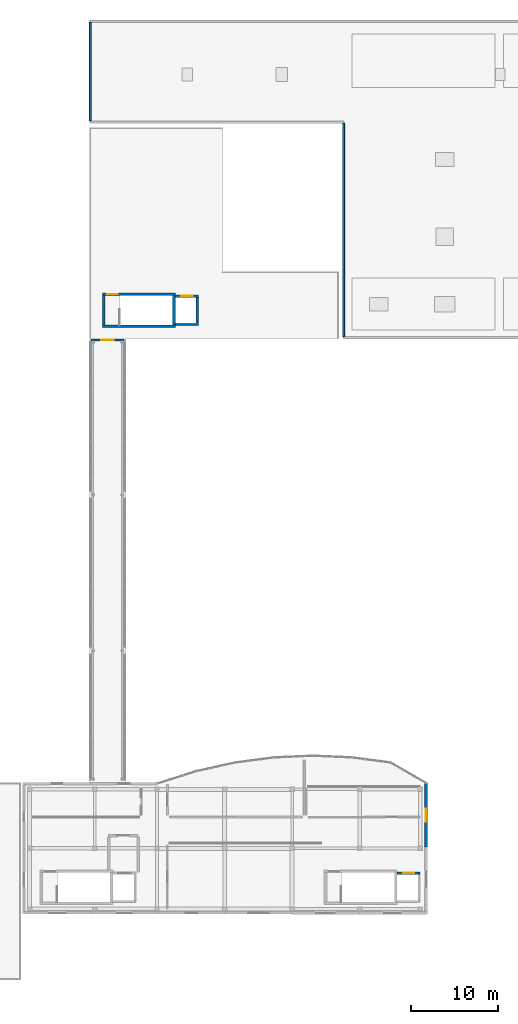
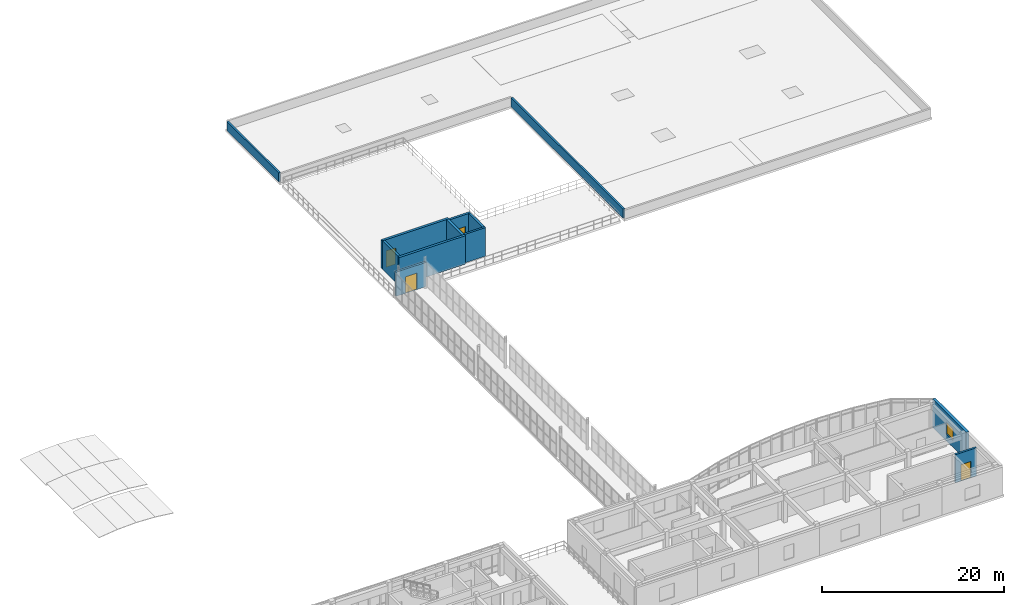
# One storey, part 49 of 52: 12 walls, 4 doors, 1 window, 5 openings.
"""IFC4 building model written with IfcOpenShell, lengths in metres."""

from ifc_helpers import new_model, si_unit, direction, frame, frame_2d, origin, place, context, subcontext, project, spatial, rectangle, extrude, material, layer, layer_set, type_object, element, fill, save


model = new_model("IFC4")

# Units and contexts
model_context = context("Model", 3, precision=1e-05, world=origin(), true_north=direction((0.0, 1.0)))
body_context = subcontext(model_context, "Body", "Model", "MODEL_VIEW")
ifc_project = project(units=[si_unit("LENGTHUNIT", "METRE"), si_unit("AREAUNIT", "SQUARE_METRE"), si_unit("VOLUMEUNIT", "CUBIC_METRE"), si_unit("PLANEANGLEUNIT", "RADIAN"), si_unit("MASSUNIT", "GRAM", prefix="KILO")], contexts=[model_context])

# Site, building, storey
site_placement = place(None, origin())
site = spatial("IfcSite", under=ifc_project, at=site_placement, CompositionType="ELEMENT")
building_placement = place(site_placement, origin())
building = spatial("IfcBuilding", under=site, at=building_placement, Name="Valcora Specialist Clinic", CompositionType="ELEMENT")
storey_placement = place(building_placement, frame((0.0, 0.0, 17.679931640625)))
storey = spatial("IfcBuildingStorey", under=building, at=storey_placement, Name="L04", CompositionType="ELEMENT", Elevation=17.679931640625)

# Wall
ifc_material_1 = material(Name="Concrete C40/50", Category="concrete")
ifc_layer_1 = layer(ifc_material_1, 0.300048828125)
ifc_layer_set_1 = layer_set([ifc_layer_1], Name="Concrete C40/50")
wall_type_1 = type_object("IfcWallType", Name="TY-WL-CR300", PredefinedType="SHEAR", material=ifc_layer_set_1)
wall_1_placement = place(storey_placement, frame((62.699951171875, 75.449951171875, 0.0), z_axis=(0.0, 0.0, 1.0), x_axis=(1.0, 0.0, 0.0)))
element("IfcWall", 1, at=wall_1_placement, inside=storey, type_object=wall_type_1, Name="Core shear wall WL-CR-C-V4A-L04-S", PredefinedType="SHEAR", context=body_context, shape_type="SweptSolid", body=[
    extrude(rectangle(XDim=8.420166015625, YDim=0.300048828125, at=frame_2d((4.2099609375, 0.0))), origin(), (0.0, 0.0, 1.0), 3.81005859375),
])

# Wall, opening, door
wall_2_placement = place(storey_placement, frame((62.699951171875, 79.14990234375, 0.0), z_axis=(0.0, 0.0, 1.0), x_axis=(1.0, 0.0, 0.0)))
wall_2 = element("IfcWall", 2, at=wall_2_placement, inside=storey, type_object=wall_type_1, Name="Core shear wall WL-CR-C-V4A-L04-N", PredefinedType="SHEAR", context=body_context, shape_type="SweptSolid", body=[
    extrude(rectangle(XDim=8.420166015625, YDim=0.300048828125, at=frame_2d((4.2099609375, 0.0))), origin(), (0.0, 0.0, 1.0), 3.81005859375),
])
opening_1_placement = place(wall_2_placement, frame((0.550048828125, 0.0, 0.0)))
opening_1 = element("IfcOpeningElement", 3, at=opening_1_placement, cuts=wall_2, Name="Opening DR-FD-120", PredefinedType="OPENING", context=body_context, shape_type="SweptSolid", body=[
    extrude(rectangle(XDim=1.199951171875, YDim=2.199951171875, at=frame_2d((0.60009765625, 1.10009765625))), frame((0.0, 0.159912109375, 0.0), z_axis=(0.0, -1.0, 0.0), x_axis=(1.0, 0.0, 0.0)), (0.0, 0.0, 1.0), 0.320068359375),
])
ifc_material_2 = material(Name="Galvanized Hollow Metal Door Steel ASTM A653", Category="steel")
door_type_1 = type_object("IfcDoorType", Name="TY-DR-ST120", OperationType="NOTDEFINED", PredefinedType="DOOR", material=ifc_material_2)
door_1_placement = place(opening_1_placement, origin())
door_1 = element("IfcDoor", 4, at=door_1_placement, inside=storey, type_object=door_type_1, Name="Exit stair fire door C-V4A L04", OperationType="SINGLE_SWING_LEFT", OverallHeight=2.199951171875, OverallWidth=1.199951171875, PredefinedType="DOOR", context=body_context, shape_type="SweptSolid", body=[
    extrude(rectangle(XDim=1.199951171875, YDim=2.199951171875, at=frame_2d((0.60009765625, 1.10009765625))), frame((0.0, 0.02490234375, 0.0), z_axis=(0.0, -1.0, 0.0), x_axis=(1.0, 0.0, 0.0)), (0.0, 0.0, 1.0), 0.050048828125),
])
fill(opening_1, door_1)

# Walls
wall_3_placement = place(storey_placement, frame((62.85009765625, 75.60205078125, 0.0), z_axis=(0.0, 0.0, 1.0), x_axis=(0.0, 1.0, 0.0)))
element("IfcWall", 5, at=wall_3_placement, inside=storey, type_object=wall_type_1, Name="Core shear wall WL-CR-C-V4A-L04-W", PredefinedType="SHEAR", context=body_context, shape_type="SweptSolid", body=[
    extrude(rectangle(XDim=3.39599609375, YDim=0.300048828125, at=frame_2d((1.697998046875, 0.0))), origin(), (0.0, 0.0, 1.0), 3.81005859375),
])
ifc_layer_2 = layer(ifc_material_1, 0.320068359375)
ifc_layer_set_2 = layer_set([ifc_layer_2], Name="Concrete C40/50")
wall_type_2 = type_object("IfcWallType", Name="TY-WL-CR320", PredefinedType="SHEAR", material=ifc_layer_set_2)
wall_4_placement = place(storey_placement, frame((70.9599609375, 75.60205078125, 0.0), z_axis=(0.0, 0.0, 1.0), x_axis=(0.0, 1.0, 0.0)))
element("IfcWall", 6, at=wall_4_placement, inside=storey, type_object=wall_type_2, Name="Core shear wall WL-CR-C-V4A-L04-E", PredefinedType="SHEAR", context=body_context, shape_type="SweptSolid", body=[
    extrude(rectangle(XDim=3.39599609375, YDim=0.320068359375, at=frame_2d((1.697998046875, 0.0))), origin(), (0.0, 0.0, 1.0), 3.81005859375),
])

# Wall, opening, door
ifc_material_3 = material(Name="Extruded Jalisco Clay Brick Masonry", Category="masonry")
ifc_layer_3 = layer(ifc_material_3, 0.25)
ifc_layer_set_3 = layer_set([ifc_layer_3], Name="Extruded Jalisco Clay Brick Masonry")
wall_type_3 = type_object("IfcWallType", Name="TY-WL-EW250", PredefinedType="SOLIDWALL", material=ifc_layer_set_3)
wall_5_placement = place(storey_placement, frame((61.39990234375, 73.8798828125, 0.0), z_axis=(0.0, 0.0, 1.0), x_axis=(1.0, 0.0, 0.0)))
wall_5 = element("IfcWall", 7, at=wall_5_placement, inside=storey, type_object=wall_type_3, Name="Exterior wall WL-EXT-L04-0389", PredefinedType="SOLIDWALL", context=body_context, shape_type="SweptSolid", body=[
    extrude(rectangle(XDim=3.800048828125, YDim=0.25, at=frame_2d((1.89990234375, 0.0))), origin(), (0.0, 0.0, 1.0), 3.239990234375),
])
opening_2_placement = place(wall_5_placement, frame((1.179931640625, 0.0, 0.0)))
opening_2 = element("IfcOpeningElement", 8, at=opening_2_placement, cuts=wall_5, Name="Opening DR-TR-145", PredefinedType="OPENING", context=body_context, shape_type="SweptSolid", body=[
    extrude(rectangle(XDim=1.449951171875, YDim=2.199951171875, at=frame_2d((0.72509765625, 1.10009765625))), frame((0.0, 0.135009765625, 0.0), z_axis=(0.0, -1.0, 0.0), x_axis=(1.0, 0.0, 0.0)), (0.0, 0.0, 1.0), 0.27001953125),
])
ifc_material_4 = material(Name="Anodized Bronze Aluminium 6063-T6", Category="aluminium")
door_type_2 = type_object("IfcDoorType", Name="TY-DR-TR145", OperationType="NOTDEFINED", PredefinedType="DOOR", material=ifc_material_4)
door_2_placement = place(opening_2_placement, origin())
door_2 = element("IfcDoor", 9, at=door_2_placement, inside=storey, type_object=door_type_2, Name="Roof garden bridge portal door", OperationType="SINGLE_SWING_LEFT", OverallHeight=2.199951171875, OverallWidth=1.449951171875, PredefinedType="DOOR", context=body_context, shape_type="SweptSolid", body=[
    extrude(rectangle(XDim=1.449951171875, YDim=2.199951171875, at=frame_2d((0.72509765625, 1.10009765625))), frame((0.0, 0.02490234375, 0.0), z_axis=(0.0, -1.0, 0.0), x_axis=(1.0, 0.0, 0.0)), (0.0, 0.0, 1.0), 0.050048828125),
])
fill(opening_2, door_2)

# Wall, opening, window
ifc_layer_4 = layer(ifc_material_3, 0.3701171875)
ifc_layer_set_4 = layer_set([ifc_layer_4], Name="Extruded Jalisco Clay Brick Masonry")
wall_type_4 = type_object("IfcWallType", Name="TY-WL-EW370", PredefinedType="SOLIDWALL", material=ifc_layer_set_4)
wall_6_placement = place(storey_placement, frame((100.050048828125, 22.71337890625, 0.0), z_axis=(0.0, 0.0, 1.0), x_axis=(0.0, -1.0, 0.0)))
wall_6 = element("IfcWall", 10, at=wall_6_placement, inside=storey, type_object=wall_type_4, Name="Exterior wall WL-EXT-L04-0381", PredefinedType="SOLIDWALL", context=body_context, shape_type="SweptSolid", body=[
    extrude(rectangle(XDim=7.386474609375, YDim=0.3701171875, at=frame_2d((3.693359375, 0.0))), origin(), (0.0, 0.0, 1.0), 3.775146484375),
])
opening_3_placement = place(wall_6_placement, frame((2.923095703125, 0.0, 0.89990234375)))
opening_3 = element("IfcOpeningElement", 11, at=opening_3_placement, cuts=wall_6, Name="Opening WN-34", PredefinedType="OPENING", context=body_context, shape_type="SweptSolid", body=[
    extrude(rectangle(XDim=1.5400390625, YDim=1.6201171875, at=frame_2d((0.77001953125, 0.81005859375))), frame((0.0, 0.195068359375, 0.0), z_axis=(0.0, -1.0, 0.0), x_axis=(1.0, 0.0, 0.0)), (0.0, 0.0, 1.0), 0.39013671875),
])
ifc_material_5 = material(Name="Low-E Laminated Insulating Glass", Category="glass")
window_type = type_object("IfcWindowType", Name="TY-WN-34", PartitioningType="SINGLE_PANEL", PredefinedType="WINDOW", material=ifc_material_5)
window_placement = place(opening_3_placement, origin())
window = element("IfcWindow", 12, at=window_placement, inside=storey, type_object=window_type, Name="Facade window WN-L04-0328", OverallHeight=1.6201171875, OverallWidth=1.5400390625, PartitioningType="SINGLE_PANEL", PredefinedType="WINDOW", context=body_context, shape_type="SweptSolid", body=[
    extrude(rectangle(XDim=1.5400390625, YDim=1.6201171875, at=frame_2d((0.77001953125, 0.81005859375))), frame((0.0, 0.030029296875, 0.0), z_axis=(0.0, -1.0, 0.0), x_axis=(1.0, 0.0, 0.0)), (0.0, 0.0, 1.0), 0.06005859375),
])
fill(opening_3, window)

# Walls
ifc_layer_5 = layer(ifc_material_3, 0.22509765625)
ifc_layer_set_5 = layer_set([ifc_layer_5], Name="Extruded Jalisco Clay Brick Masonry")
wall_type_5 = type_object("IfcWallType", Name="TY-WL-PP225", PredefinedType="PARAPET", material=ifc_layer_set_5)
wall_7_placement = place(storey_placement, frame((61.320068359375, 110.5400390625, 0.0), z_axis=(0.0, 0.0, 1.0), x_axis=(0.0, -1.0, 0.0)))
element("IfcWall", 13, at=wall_7_placement, inside=storey, type_object=wall_type_5, Name="Roof parapet 10", PredefinedType="PARAPET", context=body_context, shape_type="SweptSolid", body=[
    extrude(rectangle(XDim=11.380126953125, YDim=0.22509765625, at=frame_2d((5.68994140625, 0.0))), origin(), (0.0, 0.0, 1.0), 1.199951171875),
])
wall_8_placement = place(storey_placement, frame((90.570068359375, 98.8798828125, 0.0), z_axis=(0.0, 0.0, 1.0), x_axis=(0.0, -1.0, 0.0)))
element("IfcWall", 14, at=wall_8_placement, inside=storey, type_object=wall_type_5, Name="Roof parapet 12", PredefinedType="PARAPET", context=body_context, shape_type="SweptSolid", body=[
    extrude(rectangle(XDim=24.619873046875, YDim=0.22509765625, at=frame_2d((12.31005859375, 0.0))), origin(), (0.0, 0.0, 1.0), 1.199951171875),
])
ifc_layer_6 = layer(ifc_material_1, 0.260009765625)
ifc_layer_set_6 = layer_set([ifc_layer_6], Name="Concrete C40/50")
wall_type_6 = type_object("IfcWallType", Name="TY-WL-SH260", PredefinedType="SHEAR", material=ifc_layer_set_6)
wall_9_placement = place(storey_placement, frame((71.1220703125, 75.669921875, 0.0), z_axis=(0.0, 0.0, 1.0), x_axis=(1.0, 0.0, 0.0)))
element("IfcWall", 15, at=wall_9_placement, inside=storey, type_object=wall_type_6, Name="Lift shaft wall WL-LF-LF-04-L04-LS", PredefinedType="SHEAR", context=body_context, shape_type="SweptSolid", body=[
    extrude(rectangle(XDim=2.657958984375, YDim=0.260009765625, at=frame_2d((1.3291015625, 0.0))), origin(), (0.0, 0.0, 1.0), 3.81005859375),
])

# Wall, opening, door
wall_10_placement = place(storey_placement, frame((71.1220703125, 78.929931640625, 0.0), z_axis=(0.0, 0.0, 1.0), x_axis=(1.0, 0.0, 0.0)))
wall_10 = element("IfcWall", 16, at=wall_10_placement, inside=storey, type_object=wall_type_6, Name="Lift shaft wall WL-LF-LF-04-L04-LN", PredefinedType="SHEAR", context=body_context, shape_type="SweptSolid", body=[
    extrude(rectangle(XDim=2.657958984375, YDim=0.260009765625, at=frame_2d((1.3291015625, 0.0))), origin(), (0.0, 0.0, 1.0), 3.81005859375),
])
opening_4_placement = place(wall_10_placement, frame((0.678955078125, 0.0, 0.0)))
opening_4 = element("IfcOpeningElement", 17, at=opening_4_placement, cuts=wall_10, Name="Opening LD-130", PredefinedType="OPENING", context=body_context, shape_type="SweptSolid", body=[
    extrude(rectangle(XDim=1.300048828125, YDim=2.199951171875, at=frame_2d((0.64990234375, 1.10009765625))), frame((0.0, 0.139892578125, 0.0), z_axis=(0.0, -1.0, 0.0), x_axis=(1.0, 0.0, 0.0)), (0.0, 0.0, 1.0), 0.280029296875),
])
ifc_material_6 = material(Name="Stainless Steel AISI 316", Category="steel")
door_type_3 = type_object("IfcDoorType", Name="TY-LD-130", OperationType="NOTDEFINED", PredefinedType="DOOR", material=ifc_material_6)
door_3_placement = place(opening_4_placement, origin())
door_3 = element("IfcDoor", 18, at=door_3_placement, inside=storey, type_object=door_type_3, Name="Lift landing sliding door LF-04 L04", OperationType="SLIDING_TO_RIGHT", OverallHeight=2.199951171875, OverallWidth=1.300048828125, PredefinedType="DOOR", context=body_context, shape_type="SweptSolid", body=[
    extrude(rectangle(XDim=1.300048828125, YDim=2.199951171875, at=frame_2d((0.64990234375, 1.10009765625))), frame((0.0, 0.02490234375, 0.0), z_axis=(0.0, -1.0, 0.0), x_axis=(1.0, 0.0, 0.0)), (0.0, 0.0, 1.0), 0.050048828125),
])
fill(opening_4, door_3)

# Wall
wall_11_placement = place(storey_placement, frame((73.64990234375, 75.802001953125, 0.0), z_axis=(0.0, 0.0, 1.0), x_axis=(0.0, 1.0, 0.0)))
element("IfcWall", 19, at=wall_11_placement, inside=storey, type_object=wall_type_6, Name="Lift shaft wall WL-LF-LF-04-L04-LE", PredefinedType="SHEAR", context=body_context, shape_type="SweptSolid", body=[
    extrude(rectangle(XDim=2.99609375, YDim=0.260009765625, at=frame_2d((1.498046875, 0.0))), origin(), (0.0, 0.0, 1.0), 3.81005859375),
])

# Wall, opening, door
wall_12_placement = place(storey_placement, frame((96.721923828125, 12.330078125, 0.0), z_axis=(0.0, 0.0, 1.0), x_axis=(1.0, 0.0, 0.0)))
wall_12 = element("IfcWall", 20, at=wall_12_placement, inside=storey, type_object=wall_type_6, Name="Lift shaft wall WL-LF-LF-08-L04-LN", PredefinedType="SHEAR", context=body_context, shape_type="SweptSolid", body=[
    extrude(rectangle(XDim=2.657958984375, YDim=0.260009765625, at=frame_2d((1.3291015625, 0.0))), origin(), (0.0, 0.0, 1.0), 3.775146484375),
])
opening_5_placement = place(wall_12_placement, frame((0.678955078125, 0.0, 0.0)))
opening_5 = element("IfcOpeningElement", 21, at=opening_5_placement, cuts=wall_12, Name="Opening LD-130", PredefinedType="OPENING", context=body_context, shape_type="SweptSolid", body=[
    extrude(rectangle(XDim=1.300048828125, YDim=2.199951171875, at=frame_2d((0.64990234375, 1.10009765625))), frame((0.0, 0.139892578125, 0.0), z_axis=(0.0, -1.0, 0.0), x_axis=(1.0, 0.0, 0.0)), (0.0, 0.0, 1.0), 0.280029296875),
])
door_4_placement = place(opening_5_placement, origin())
door_4 = element("IfcDoor", 22, at=door_4_placement, inside=storey, type_object=door_type_3, Name="Lift landing sliding door LF-08 L04", OperationType="SLIDING_TO_RIGHT", OverallHeight=2.199951171875, OverallWidth=1.300048828125, PredefinedType="DOOR", context=body_context, shape_type="SweptSolid", body=[
    extrude(rectangle(XDim=1.300048828125, YDim=2.199951171875, at=frame_2d((0.64990234375, 1.10009765625))), frame((0.0, 0.02490234375, 0.0), z_axis=(0.0, -1.0, 0.0), x_axis=(1.0, 0.0, 0.0)), (0.0, 0.0, 1.0), 0.050048828125),
])
fill(opening_5, door_4)

save(model, "model.ifc")
